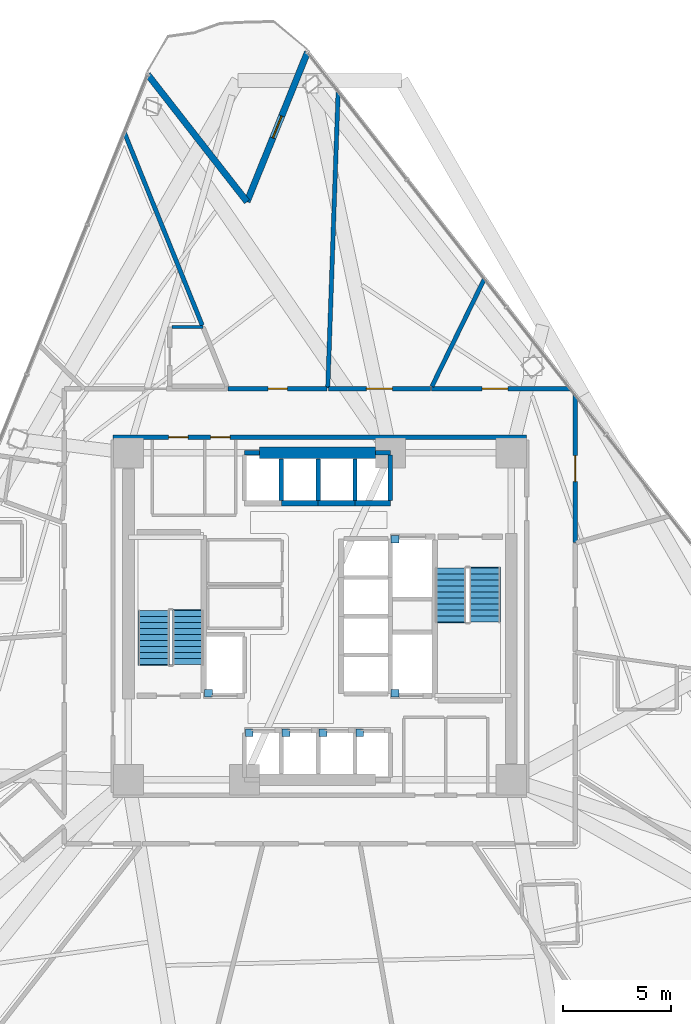
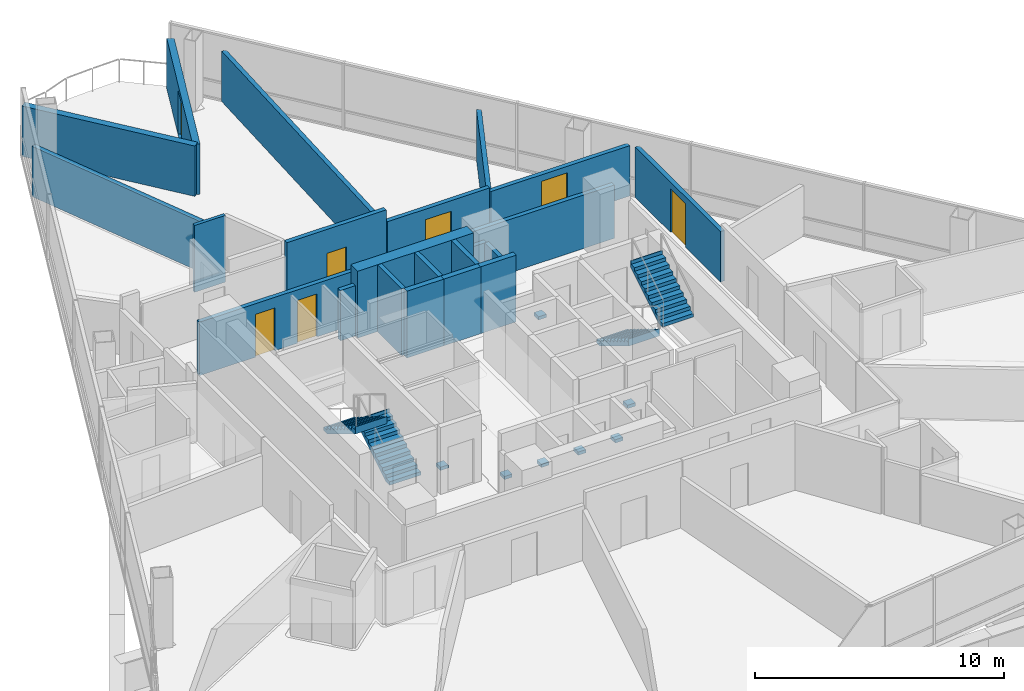
# One storey, part 10 of 15: 21 walls, 7 discrete accessories, 7 doors, 4 stair flights, 7 openings, 2 elements without a shape of their own.
"""IFC4 building model written with IfcOpenShell, lengths in metres."""

import ifcopenshell
import ifcopenshell.guid

model = None  # the IFC model being written
_history = None  # IfcOwnerHistory: only IFC2X3 demands one
_inside = {}  # id of a spatial element -> (the spatial element, [elements in it])
_under = {}  # id of a project, library or spatial element -> (it, [spatial elements below it])
_declared = {}  # id of a project -> (the project, [libraries it declares])
_typed = {}  # id of a type object -> (the type object, [elements of that type])
_made_of = {}  # id of a material, layer set ... -> (it, [elements and type objects made of it])


def new_model(schema):
    """Start an empty IFC model of exactly this schema.

    Asked for "IFC4X3", IfcOpenShell would pick the latest addendum, in which some entities
    have other attributes; the version numbers below select the first issue.
    IFC2X3 requires an IfcOwnerHistory on every rooted entity: one is made here for all.
    """
    global model, _history
    if schema == "IFC4X3":
        model = ifcopenshell.file(schema_version=(4, 3, 0, 0))
    else:
        model = ifcopenshell.file(schema=schema)
    _inside.clear()
    _under.clear()
    _declared.clear()
    _typed.clear()
    _made_of.clear()
    _history = None
    if model.schema == "IFC2X3":
        org = make("IfcOrganization", Name="unknown")
        user = make(
            "IfcPersonAndOrganization",
            ThePerson=make("IfcPerson", FamilyName="unknown"),
            TheOrganization=org,
        )
        app = make(
            "IfcApplication",
            ApplicationDeveloper=org,
            Version="unknown",
            ApplicationFullName="unknown",
            ApplicationIdentifier="unknown",
        )
        _history = make(
            "IfcOwnerHistory",
            OwningUser=user,
            OwningApplication=app,
            ChangeAction="ADDED",
            CreationDate=0,
        )
    return model


def make(cls, **values):
    """One entity of the class cls with the attributes given. An attribute that is None is left unset."""
    return model.create_entity(
        cls, **{name: value for name, value in values.items() if value is not None}
    )


def rooted(cls, **values):
    """An entity with a GlobalId (a new one), such as an element, a storey or a relation."""
    return make(cls, GlobalId=ifcopenshell.guid.new(), OwnerHistory=_history, **values)


def si_unit(unit_type, name, prefix=None):
    """IfcSIUnit, for example si_unit("LENGTHUNIT", "METRE", prefix="MILLI")."""
    return make("IfcSIUnit", UnitType=unit_type, Prefix=prefix, Name=name)


def assignment(units):
    """IfcUnitAssignment: the units of a project."""
    return None if units is None else make("IfcUnitAssignment", Units=units)


def point(xyz):
    """IfcCartesianPoint."""
    return None if xyz is None else make("IfcCartesianPoint", Coordinates=xyz)


def direction(xyz):
    """IfcDirection."""
    return None if xyz is None else make("IfcDirection", DirectionRatios=xyz)


def frame(location, z_axis=None, x_axis=None):
    """IfcAxis2Placement3D, a coordinate frame: its origin and axes. An axis left out is left unset."""
    return make(
        "IfcAxis2Placement3D",
        Location=point(location),
        Axis=direction(z_axis),
        RefDirection=direction(x_axis),
    )


def frame_2d(location, x_axis=None):
    """IfcAxis2Placement2D, a coordinate frame in the plane: its origin and x axis."""
    return make(
        "IfcAxis2Placement2D", Location=point(location), RefDirection=direction(x_axis)
    )


def origin():
    """The frame at (0, 0, 0) with its axes left unset."""
    return frame((0.0, 0.0, 0.0))


def origin_2d():
    """The frame at (0, 0) in the plane with its x axis left unset."""
    return frame_2d((0.0, 0.0))


def place(relative_to, where):
    """IfcLocalPlacement: puts the frame where relative to a parent placement (None: the world)."""
    return make(
        "IfcLocalPlacement", PlacementRelTo=relative_to, RelativePlacement=where
    )


def context(
    kind, dimensions, precision=None, world=None, true_north=None, identifier=None
):
    """IfcGeometricRepresentationContext, for example the 3D "Model" context."""
    return make(
        "IfcGeometricRepresentationContext",
        ContextIdentifier=identifier,
        ContextType=kind,
        CoordinateSpaceDimension=dimensions,
        Precision=precision,
        WorldCoordinateSystem=world,
        TrueNorth=true_north,
    )


def subcontext(parent, identifier, kind, view, scale=None):
    """IfcGeometricRepresentationSubContext, for example "Body" below "Model"."""
    return make(
        "IfcGeometricRepresentationSubContext",
        ContextIdentifier=identifier,
        ContextType=kind,
        ParentContext=parent,
        TargetScale=scale,
        TargetView=view,
    )


def project(units=None, contexts=None):
    """IfcProject with its units and contexts."""
    return rooted(
        "IfcProject",
        Name="project",
        RepresentationContexts=contexts,
        UnitsInContext=assignment(units),
    )


def spatial(cls, under=None, at=None, **own):
    """A site, building, storey or space (cls), placed at a placement, below another one or the project."""
    s = rooted(cls, ObjectPlacement=at, **own)
    if under is not None:
        _under.setdefault(under.id(), (under, []))[1].append(s)
    return s


def polyline(points):
    """IfcPolyline through the points."""
    return make("IfcPolyline", Points=[point(p) for p in points])


def profile(cls, at=None, kind="AREA", **sizes):
    """A parametric profile (cls). Its sizes go by their IFC names, for example OverallWidth=200.0."""
    return make(cls, ProfileType=kind, Position=at, **sizes)


def rectangle(**sizes):
    """IfcRectangleProfileDef."""
    return profile("IfcRectangleProfileDef", **sizes)


def outline(outer, holes=None, kind="AREA"):
    """IfcArbitraryClosedProfileDef: a profile drawn as a closed curve; with holes, ...WithVoids."""
    if holes is None:
        return make("IfcArbitraryClosedProfileDef", ProfileType=kind, OuterCurve=outer)
    return make(
        "IfcArbitraryProfileDefWithVoids",
        ProfileType=kind,
        OuterCurve=outer,
        InnerCurves=holes,
    )


def extrude(swept, where, along, depth):
    """IfcExtrudedAreaSolid: the profile swept, set in the frame where, extruded along a direction by depth."""
    return make(
        "IfcExtrudedAreaSolid",
        SweptArea=swept,
        Position=where,
        ExtrudedDirection=direction(along),
        Depth=depth,
    )


def shape(context_of_items, identifier, shape_type, items):
    """IfcShapeRepresentation: the items that make up one representation, for example the "Body"."""
    return make(
        "IfcShapeRepresentation",
        ContextOfItems=context_of_items,
        RepresentationIdentifier=identifier,
        RepresentationType=shape_type,
        Items=items,
    )


def material(Name=None, Category=None):
    """IfcMaterial."""
    return make("IfcMaterial", Name=Name, Category=Category)


def layer(
    of_material, thickness, ventilated=None, Name=None, Category=None, Priority=None
):
    """IfcMaterialLayer: one layer of a wall or slab, of a material (None: an air gap)."""
    return make(
        "IfcMaterialLayer",
        Material=of_material,
        LayerThickness=thickness,
        IsVentilated=ventilated,
        Name=Name,
        Category=Category,
        Priority=Priority,
    )


def layer_set(layers, Name=None):
    """IfcMaterialLayerSet."""
    return make("IfcMaterialLayerSet", MaterialLayers=layers, LayerSetName=Name)


def made_of(thing, what):
    """Note that an element or type object is made of a material, layer set ...; save() writes the relation."""
    if what is not None:
        _made_of.setdefault(what.id(), (what, []))[1].append(thing)
    return thing


def type_object(cls, material=None, **own):
    """A type object (cls), such as IfcWallType, which elements share."""
    return made_of(rooted(cls, **own), material)


def element(
    cls,
    number,
    at=None,
    inside=None,
    cuts=None,
    type_object=None,
    material=None,
    context=None,
    identifier="Body",
    shape_type=None,
    held_by="IfcProductDefinitionShape",
    body=None,
    shapes=None,
    **own,
):
    """One element of the class cls, such as IfcWall. Its Tag is "e" and its number.

    at: its placement. inside: the storey or other place that contains it. cuts: it is an
    opening in that element (IfcRelVoidsElement). A single representation is given by context,
    identifier, shape_type and body (its items); several are given by shapes. held_by: the class
    of the entity that holds the representations. save() writes the other relations.
    """
    e = rooted(cls, Tag="e%d" % number, ObjectPlacement=at, **own)
    if body is not None:
        shapes = [shape(context, identifier, shape_type, body)]
    if shapes is not None:
        e.Representation = make(held_by, Representations=shapes)
    if inside is not None:
        _inside.setdefault(inside.id(), (inside, []))[1].append(e)
    if cuts is not None:
        rooted(
            "IfcRelVoidsElement", RelatingBuildingElement=cuts, RelatedOpeningElement=e
        )
    if type_object is not None:
        _typed.setdefault(type_object.id(), (type_object, []))[1].append(e)
    return made_of(e, material)


def fill(opening, filler):
    """IfcRelFillsElement: the door or window that sits in an opening."""
    return rooted(
        "IfcRelFillsElement",
        RelatingOpeningElement=opening,
        RelatedBuildingElement=filler,
    )


def aggregate(whole, parts):
    """IfcRelAggregates: a whole, such as a stair, and the parts it consists of."""
    return rooted("IfcRelAggregates", RelatingObject=whole, RelatedObjects=parts)


def save(model, path):
    """Write the relations noted so far, then the file.

    IfcRelAggregates (storeys below a building ...), IfcRelContainedInSpatialStructure (elements
    in a storey), IfcRelDefinesByType, IfcRelAssociatesMaterial and IfcRelDeclares: one each for
    every whole, place, type object, material and project.
    """
    for whole, parts in _under.values():
        aggregate(whole, parts)
    for where, things in _inside.values():
        rooted(
            "IfcRelContainedInSpatialStructure",
            RelatedElements=things,
            RelatingStructure=where,
        )
    for kind, things in _typed.values():
        rooted("IfcRelDefinesByType", RelatedObjects=things, RelatingType=kind)
    for what, things in _made_of.values():
        rooted("IfcRelAssociatesMaterial", RelatedObjects=things, RelatingMaterial=what)
    for by, libraries in _declared.values():
        rooted("IfcRelDeclares", RelatingContext=by, RelatedDefinitions=libraries)
    model.write(path)


model = new_model("IFC4")

# Units and contexts
model_context = context("Model", 3, precision=1e-05, world=origin(), true_north=direction((0.0, 1.0)))
body_context = subcontext(model_context, "Body", "Model", "MODEL_VIEW")
ifc_project = project(units=[si_unit("LENGTHUNIT", "METRE"), si_unit("AREAUNIT", "SQUARE_METRE"), si_unit("VOLUMEUNIT", "CUBIC_METRE"), si_unit("PLANEANGLEUNIT", "RADIAN"), si_unit("MASSUNIT", "GRAM", prefix="KILO")], contexts=[model_context])

# Site, building, storey
site_placement = place(None, origin())
site = spatial("IfcSite", under=ifc_project, at=site_placement, CompositionType="ELEMENT")
building_placement = place(site_placement, origin())
building = spatial("IfcBuilding", under=site, at=building_placement, Name="Tharavind Bronze Gate", CompositionType="ELEMENT")
storey_placement = place(building_placement, frame((0.0, 0.0, 57.0)))
storey = spatial("IfcBuildingStorey", under=building, at=storey_placement, Name="L13", CompositionType="ELEMENT", Elevation=57.0)

# Wall, opening, door
ifc_material_1 = material(Name="Concrete C40/50", Category="concrete")
ifc_layer_1 = layer(ifc_material_1, 0.300048828125)
ifc_layer_set_1 = layer_set([ifc_layer_1], Name="Concrete C40/50")
wall_type_1 = type_object("IfcWallType", Name="EXTERIOR SPANDREL WALL 300", PredefinedType="STANDARD", material=ifc_layer_set_1)
wall_1_placement = place(storey_placement, frame((-0.57373046875, 26.226806640625, 0.0), z_axis=(0.0, 0.0, 1.0), x_axis=(-0.374609979755, -0.92718248639, 0.0)))
wall_1 = element("IfcWall", 1, at=wall_1_placement, inside=storey, type_object=wall_type_1, Name="L13 notch cheek wall 1A", PredefinedType="STANDARD", context=body_context, shape_type="SweptSolid", body=[
    extrude(rectangle(XDim=7.5, YDim=0.300048828125, at=frame_2d((3.75, 0.0))), origin(), (0.0, 0.0, 1.0), 2.469970703125),
])
opening_1_placement = place(wall_1_placement, frame((3.199951171875, 0.0, 0.0)))
opening_1 = element("IfcOpeningElement", 2, at=opening_1_placement, cuts=wall_1, Name="Opening ED04", PredefinedType="OPENING", context=body_context, shape_type="SweptSolid", body=[
    extrude(rectangle(XDim=1.10009765625, YDim=2.199951171875, at=frame_2d((0.550048828125, 1.10009765625))), frame((0.0, 0.15990234375, 0.0), z_axis=(0.0, -1.0, 0.0), x_axis=(1.0, 0.0, 0.0)), (0.0, 0.0, 1.0), 0.320048828125),
])
ifc_material_2 = material(Name="Bronze Aluminium & Toughened Glass", Category="aluminium")
door_type_1 = type_object("IfcDoorType", Name="TREE BALCONY ACCESS DOOR 1100X2200", OperationType="SINGLE_SWING_LEFT", PredefinedType="DOOR", material=ifc_material_2)
door_1_placement = place(opening_1_placement, frame((1.10009765625, 0.0, 0.0), z_axis=(0.0, 0.0, 1.0), x_axis=(-1.0, 0.0, 0.0)))
door_1 = element("IfcDoor", 3, at=door_1_placement, inside=storey, type_object=door_type_1, Name="L13 tree balcony access door", OperationType="SINGLE_SWING_LEFT", OverallHeight=2.199951171875, OverallWidth=1.10009765625, PredefinedType="DOOR", context=body_context, shape_type="SweptSolid", body=[
    extrude(rectangle(XDim=1.10009765625, YDim=2.199951171875, at=frame_2d((0.550048828125, 1.10009765625))), frame((0.0, 0.02490234375, 0.0), z_axis=(0.0, -1.0, 0.0), x_axis=(1.0, 0.0, 0.0)), (0.0, 0.0, 1.0), 0.050048828125),
])
fill(opening_1, door_1)

# Wall
wall_2_placement = place(storey_placement, frame((-3.38330078125, 19.27294921875, 0.0), z_axis=(0.0, 0.0, 1.0), x_axis=(-0.615654149001, 0.788016477504, 0.0)))
element("IfcWall", 4, at=wall_2_placement, inside=storey, type_object=wall_type_1, Name="L13 notch cheek wall 1B", PredefinedType="STANDARD", context=body_context, shape_type="SweptSolid", body=[
    extrude(rectangle(XDim=7.5, YDim=0.300048828125, at=frame_2d((3.75, 0.0))), origin(), (0.0, 0.0, 1.0), 2.469970703125),
])

# Wall, openings, doors
ifc_material_3 = material(Name="Aerated Concrete Block", Category="concrete")
ifc_layer_2 = layer(ifc_material_3, 0.199951171875)
ifc_layer_set_2 = layer_set([ifc_layer_2], Name="Aerated Concrete Block")
wall_type_2 = type_object("IfcWallType", Name="FIRE RATED PARTITION 200", PredefinedType="PARTITIONING", material=ifc_layer_set_2)
wall_3_placement = place(storey_placement, frame((9.6201171875, 8.320068359375, 0.0), z_axis=(0.0, 0.0, 1.0), x_axis=(-1.0, 0.0, 0.0)))
wall_3 = element("IfcWall", 5, at=wall_3_placement, inside=storey, type_object=wall_type_2, Name="L13 north core corridor wall", PredefinedType="PARTITIONING", context=body_context, shape_type="SweptSolid", body=[
    extrude(rectangle(XDim=19.240234375, YDim=0.199951171875, at=frame_2d((9.6201171875, 0.0))), origin(), (0.0, 0.0, 1.0), 2.6201171875),
])
opening_2_placement = place(wall_3_placement, frame((15.7451171875, 0.0, 0.0)))
opening_2 = element("IfcOpeningElement", 6, at=opening_2_placement, cuts=wall_3, Name="Opening ID07", PredefinedType="OPENING", context=body_context, shape_type="SweptSolid", body=[
    extrude(rectangle(XDim=0.89990234375, YDim=2.10009765625, at=frame_2d((0.449951171875, 1.050048828125))), frame((0.0, 0.11009765625, 0.0), z_axis=(0.0, -1.0, 0.0), x_axis=(1.0, 0.0, 0.0)), (0.0, 0.0, 1.0), 0.219951171875),
])
opening_3_placement = place(wall_3_placement, frame((13.794921875, 0.0, 0.0)))
opening_3 = element("IfcOpeningElement", 7, at=opening_3_placement, cuts=wall_3, Name="Opening ID07", PredefinedType="OPENING", context=body_context, shape_type="SweptSolid", body=[
    extrude(rectangle(XDim=0.89990234375, YDim=2.10009765625, at=frame_2d((0.449951171875, 1.050048828125))), frame((0.0, 0.11009765625, 0.0), z_axis=(0.0, -1.0, 0.0), x_axis=(1.0, 0.0, 0.0)), (0.0, 0.0, 1.0), 0.219951171875),
])
ifc_material_4 = material(Name="Galvanised Fire Steel", Category="steel")
door_type_2 = type_object("IfcDoorType", Name="PLANT AND RISER FIRE DOOR 900X2100", OperationType="SINGLE_SWING_LEFT", PredefinedType="DOOR", material=ifc_material_4)
door_2_placement = place(opening_2_placement, origin())
door_2 = element("IfcDoor", 8, at=door_2_placement, inside=storey, type_object=door_type_2, Name="L13 Electrical Metering Room fire door", OperationType="SINGLE_SWING_LEFT", OverallHeight=2.10009765625, OverallWidth=0.89990234375, PredefinedType="DOOR", context=body_context, shape_type="SweptSolid", body=[
    extrude(rectangle(XDim=0.89990234375, YDim=2.10009765625, at=frame_2d((0.449951171875, 1.050048828125))), frame((0.0, 0.02490234375, 0.0), z_axis=(0.0, -1.0, 0.0), x_axis=(1.0, 0.0, 0.0)), (0.0, 0.0, 1.0), 0.050048828125),
])
fill(opening_2, door_2)
door_3_placement = place(opening_3_placement, origin())
door_3 = element("IfcDoor", 9, at=door_3_placement, inside=storey, type_object=door_type_2, Name="L13 Linen Cupboard fire door", OperationType="SINGLE_SWING_LEFT", OverallHeight=2.10009765625, OverallWidth=0.89990234375, PredefinedType="DOOR", context=body_context, shape_type="SweptSolid", body=[
    extrude(rectangle(XDim=0.89990234375, YDim=2.10009765625, at=frame_2d((0.449951171875, 1.050048828125))), frame((0.0, 0.02490234375, 0.0), z_axis=(0.0, -1.0, 0.0), x_axis=(1.0, 0.0, 0.0)), (0.0, 0.0, 1.0), 0.050048828125),
])
fill(opening_3, door_3)

# Wall, opening, door
wall_4_placement = place(storey_placement, frame((11.8798828125, 3.439697265625, 0.0), z_axis=(0.0, 0.0, 1.0), x_axis=(0.0, 1.0, 0.0)))
wall_4 = element("IfcWall", 10, at=wall_4_placement, inside=storey, type_object=wall_type_2, Name="L13 Hotel Club Lounge partition", PredefinedType="PARTITIONING", context=body_context, shape_type="SweptSolid", body=[
    extrude(rectangle(XDim=6.84716796875, YDim=0.199951171875, at=frame_2d((3.423583984375, 0.0))), origin(), (0.0, 0.0, 1.0), 2.469970703125),
])
opening_4_placement = place(wall_4_placement, frame((2.823974609375, 0.0, 0.0)))
opening_4 = element("IfcOpeningElement", 11, at=opening_4_placement, cuts=wall_4, Name="Opening ID05", PredefinedType="OPENING", context=body_context, shape_type="SweptSolid", body=[
    extrude(rectangle(XDim=1.199951171875, YDim=2.14990234375, at=frame_2d((0.60009765625, 1.074951171875))), frame((0.0, 0.11009765625, 0.0), z_axis=(0.0, -1.0, 0.0), x_axis=(1.0, 0.0, 0.0)), (0.0, 0.0, 1.0), 0.219951171875),
])
ifc_material_5 = material(Name="Acoustic Laminated Glass", Category="glass")
door_type_3 = type_object("IfcDoorType", Name="MEETING ROOM GLAZED DOOR 1200X2150", OperationType="SINGLE_SWING_LEFT", PredefinedType="DOOR", material=ifc_material_5)
door_4_placement = place(opening_4_placement, origin())
door_4 = element("IfcDoor", 12, at=door_4_placement, inside=storey, type_object=door_type_3, Name="L13 Hotel Club Lounge door", OperationType="SINGLE_SWING_LEFT", OverallHeight=2.14990234375, OverallWidth=1.199951171875, PredefinedType="DOOR", context=body_context, shape_type="SweptSolid", body=[
    extrude(rectangle(XDim=1.199951171875, YDim=2.14990234375, at=frame_2d((0.60009765625, 1.074951171875))), frame((0.0, 0.02490234375, 0.0), z_axis=(0.0, -1.0, 0.0), x_axis=(1.0, 0.0, 0.0)), (0.0, 0.0, 1.0), 0.050048828125),
])
fill(opening_4, door_4)

wall_5_placement = place(storey_placement, frame((11.65087890625, 10.580078125, 0.0), z_axis=(0.0, 0.0, 1.0), x_axis=(-1.0, 0.0, 0.0)))
wall_5 = element("IfcWall", 13, at=wall_5_placement, inside=storey, type_object=wall_type_2, Name="L13 Hotel Guest Lounge partition", PredefinedType="PARTITIONING", context=body_context, shape_type="SweptSolid", body=[
    extrude(rectangle(XDim=6.45068359375, YDim=0.199951171875, at=frame_2d((3.225341796875, 0.0))), origin(), (0.0, 0.0, 1.0), 2.469970703125),
])
opening_5_placement = place(wall_5_placement, frame((2.905029296875, 0.0, 0.0)))
opening_5 = element("IfcOpeningElement", 14, at=opening_5_placement, cuts=wall_5, Name="Opening ID05", PredefinedType="OPENING", context=body_context, shape_type="SweptSolid", body=[
    extrude(rectangle(XDim=1.199951171875, YDim=2.14990234375, at=frame_2d((0.60009765625, 1.074951171875))), frame((0.0, 0.11009765625, 0.0), z_axis=(0.0, -1.0, 0.0), x_axis=(1.0, 0.0, 0.0)), (0.0, 0.0, 1.0), 0.219951171875),
])
door_5_placement = place(opening_5_placement, origin())
door_5 = element("IfcDoor", 15, at=door_5_placement, inside=storey, type_object=door_type_3, Name="L13 Hotel Guest Lounge door", OperationType="SINGLE_SWING_LEFT", OverallHeight=2.14990234375, OverallWidth=1.199951171875, PredefinedType="DOOR", context=body_context, shape_type="SweptSolid", body=[
    extrude(rectangle(XDim=1.199951171875, YDim=2.14990234375, at=frame_2d((0.60009765625, 1.074951171875))), frame((0.0, 0.02490234375, 0.0), z_axis=(0.0, -1.0, 0.0), x_axis=(1.0, 0.0, 0.0)), (0.0, 0.0, 1.0), 0.050048828125),
])
fill(opening_5, door_5)

# Wall
wall_6_placement = place(storey_placement, frame((5.21142578125, 10.68505859375, 0.0), z_axis=(0.0, 0.0, 1.0), x_axis=(0.438361496965, 0.898798752769, 0.0)))
element("IfcWall", 16, at=wall_6_placement, inside=storey, type_object=wall_type_2, Name="L13 Hotel Guest Lounge partition", PredefinedType="PARTITIONING", context=body_context, shape_type="SweptSolid", body=[
    extrude(rectangle(XDim=5.57373046875, YDim=0.199951171875, at=frame_2d((2.786865234375, 0.0))), origin(), (0.0, 0.0, 1.0), 2.469970703125),
])

# Wall, opening, door
wall_7_placement = place(storey_placement, frame((5.14453125, 10.580078125, 0.0), z_axis=(0.0, 0.0, 1.0), x_axis=(-1.0, 0.0, 0.0)))
wall_7 = element("IfcWall", 17, at=wall_7_placement, inside=storey, type_object=wall_type_2, Name="L13 Hotel Guest Lounge partition", PredefinedType="PARTITIONING", context=body_context, shape_type="SweptSolid", body=[
    extrude(rectangle(XDim=4.749267578125, YDim=0.199951171875, at=frame_2d((2.37451171875, 0.0))), origin(), (0.0, 0.0, 1.0), 2.669921875),
])
opening_6_placement = place(wall_7_placement, frame((1.77490234375, 0.0, 0.0)))
opening_6 = element("IfcOpeningElement", 18, at=opening_6_placement, cuts=wall_7, Name="Opening ID05", PredefinedType="OPENING", context=body_context, shape_type="SweptSolid", body=[
    extrude(rectangle(XDim=1.199951171875, YDim=2.14990234375, at=frame_2d((0.60009765625, 1.074951171875))), frame((0.0, 0.11009765625, 0.0), z_axis=(0.0, -1.0, 0.0), x_axis=(1.0, 0.0, 0.0)), (0.0, 0.0, 1.0), 0.219951171875),
])
door_6_placement = place(opening_6_placement, origin())
door_6 = element("IfcDoor", 19, at=door_6_placement, inside=storey, type_object=door_type_3, Name="L13 Hotel Guest Lounge door", OperationType="SINGLE_SWING_LEFT", OverallHeight=2.14990234375, OverallWidth=1.199951171875, PredefinedType="DOOR", context=body_context, shape_type="SweptSolid", body=[
    extrude(rectangle(XDim=1.199951171875, YDim=2.14990234375, at=frame_2d((0.60009765625, 1.074951171875))), frame((0.0, 0.02490234375, 0.0), z_axis=(0.0, -1.0, 0.0), x_axis=(1.0, 0.0, 0.0)), (0.0, 0.0, 1.0), 0.050048828125),
])
fill(opening_6, door_6)

# Wall
wall_8_placement = place(storey_placement, frame((0.370361328125, 10.60595703125, 0.0), z_axis=(0.0, 0.0, 1.0), x_axis=(0.03489353046, 0.999391035347, 0.0)))
element("IfcWall", 20, at=wall_8_placement, inside=storey, type_object=wall_type_2, Name="L13 Hotel Guest Lounge partition", PredefinedType="PARTITIONING", context=body_context, shape_type="SweptSolid", body=[
    extrude(rectangle(XDim=13.804443359375, YDim=0.199951171875, at=frame_2d((6.90234375, 0.0))), origin(), (0.0, 0.0, 1.0), 2.469970703125),
])

# Wall, opening, door
wall_9_placement = place(storey_placement, frame((0.34521484375, 10.580078125, 0.0), z_axis=(0.0, 0.0, 1.0), x_axis=(-1.0, 0.0, 0.0)))
wall_9 = element("IfcWall", 21, at=wall_9_placement, inside=storey, type_object=wall_type_2, Name="L13 Housekeeping & Linen Room partition", PredefinedType="PARTITIONING", context=body_context, shape_type="SweptSolid", body=[
    extrude(rectangle(XDim=4.60302734375, YDim=0.199951171875, at=frame_2d((2.301513671875, 0.0))), origin(), (0.0, 0.0, 1.0), 3.27490234375),
])
opening_7_placement = place(wall_9_placement, frame((1.85107421875, 0.0, 0.0)))
opening_7 = element("IfcOpeningElement", 22, at=opening_7_placement, cuts=wall_9, Name="Opening ID07", PredefinedType="OPENING", context=body_context, shape_type="SweptSolid", body=[
    extrude(rectangle(XDim=0.89990234375, YDim=2.10009765625, at=frame_2d((0.449951171875, 1.050048828125))), frame((0.0, 0.11009765625, 0.0), z_axis=(0.0, -1.0, 0.0), x_axis=(1.0, 0.0, 0.0)), (0.0, 0.0, 1.0), 0.219951171875),
])
door_7_placement = place(opening_7_placement, origin())
door_7 = element("IfcDoor", 23, at=door_7_placement, inside=storey, type_object=door_type_2, Name="L13 Housekeeping & Linen Room door", OperationType="SINGLE_SWING_LEFT", OverallHeight=2.10009765625, OverallWidth=0.89990234375, PredefinedType="DOOR", context=body_context, shape_type="SweptSolid", body=[
    extrude(rectangle(XDim=0.89990234375, YDim=2.10009765625, at=frame_2d((0.449951171875, 1.050048828125))), frame((0.0, 0.02490234375, 0.0), z_axis=(0.0, -1.0, 0.0), x_axis=(1.0, 0.0, 0.0)), (0.0, 0.0, 1.0), 0.050048828125),
])
fill(opening_7, door_7)

# Walls
wall_10_placement = place(storey_placement, frame((-5.466552734375, 13.530029296875, 0.0), z_axis=(0.0, 0.0, 1.0), x_axis=(-0.374609771438, 0.927182570556, 0.0)))
element("IfcWall", 24, at=wall_10_placement, inside=storey, type_object=wall_type_2, Name="L13 Housekeeping & Linen Room partition", PredefinedType="PARTITIONING", context=body_context, shape_type="SweptSolid", body=[
    extrude(rectangle(XDim=9.656494140625, YDim=0.199951171875, at=frame_2d((4.828125, 0.0))), origin(), (0.0, 0.0, 1.0), 2.469970703125),
])
ifc_material_6 = material(Name="Twin Stud Acoustic Gypsum", Category="gypsum")
ifc_layer_3 = layer(ifc_material_6, 0.14990234375)
ifc_layer_set_3 = layer_set([ifc_layer_3], Name="Twin Stud Acoustic Gypsum")
wall_type_3 = type_object("IfcWallType", Name="INTERIOR PARTITION WALL 150", PredefinedType="PARTITIONING", material=ifc_layer_set_3)
wall_11_placement = place(storey_placement, frame((-6.8681640625, 13.449951171875, 0.0), z_axis=(0.0, 0.0, 1.0), x_axis=(1.0, 0.0, 0.0)))
element("IfcWall", 25, at=wall_11_placement, inside=storey, type_object=wall_type_3, Name="L13 En-Suite Bathroom partition", PredefinedType="PARTITIONING", context=body_context, shape_type="SweptSolid", body=[
    extrude(rectangle(XDim=1.43408203125, YDim=0.14990234375, at=frame_2d((0.717041015625, 0.0))), origin(), (0.0, 0.0, 1.0), 3.27490234375),
])
ifc_material_7 = material(Name="Concrete C50/60", Category="concrete")
ifc_layer_4 = layer(ifc_material_7, 0.25)
ifc_layer_set_4 = layer_set([ifc_layer_4], Name="Concrete C50/60")
wall_type_4 = type_object("IfcWallType", Name="RC CORE SHEAR WALL 250", PredefinedType="SHEAR", material=ifc_layer_set_4)
wall_12_placement = place(storey_placement, frame((-1.78759765625, 5.25, 0.0), z_axis=(0.0, 0.0, 1.0), x_axis=(1.0, 0.0, 0.0)))
element("IfcWall", 26, at=wall_12_placement, inside=storey, type_object=wall_type_4, Name="L13 lift PL6 shaft front wall", PredefinedType="SHEAR", context=body_context, shape_type="SweptSolid", body=[
    extrude(rectangle(XDim=1.712646484375, YDim=0.25, at=frame_2d((0.8564453125, 0.0))), origin(), (0.0, 0.0, 1.0), 3.27490234375),
])
wall_13_placement = place(storey_placement, frame((-0.074951171875, 5.25, 0.0), z_axis=(0.0, 0.0, 1.0), x_axis=(1.0, 0.0, 0.0)))
element("IfcWall", 27, at=wall_13_placement, inside=storey, type_object=wall_type_4, Name="L13 lift PL7 shaft front wall", PredefinedType="SHEAR", context=body_context, shape_type="SweptSolid", body=[
    extrude(rectangle(XDim=1.71240234375, YDim=0.25, at=frame_2d((0.856201171875, 0.0))), origin(), (0.0, 0.0, 1.0), 3.27490234375),
])
wall_14_placement = place(storey_placement, frame((1.637451171875, 5.25, 0.0), z_axis=(0.0, 0.0, 1.0), x_axis=(1.0, 0.0, 0.0)))
element("IfcWall", 28, at=wall_14_placement, inside=storey, type_object=wall_type_4, Name="L13 lift PL8 shaft front wall", PredefinedType="SHEAR", context=body_context, shape_type="SweptSolid", body=[
    extrude(rectangle(XDim=1.642578125, YDim=0.25, at=frame_2d((0.8212890625, 0.0))), origin(), (0.0, 0.0, 1.0), 3.27490234375),
])
ifc_material_8 = material(Name="Concrete C60/75", Category="concrete")
ifc_layer_5 = layer(ifc_material_8, 0.550048828125)
ifc_layer_set_5 = layer_set([ifc_layer_5], Name="Concrete C60/75")
wall_type_5 = type_object("IfcWallType", Name="RC CORE SHEAR WALL 550", PredefinedType="SHEAR", material=ifc_layer_set_5)
wall_15_placement = place(storey_placement, frame((-2.800048828125, 7.60009765625, 0.0), z_axis=(0.0, 0.0, 1.0), x_axis=(1.0, 0.0, 0.0)))
element("IfcWall", 29, at=wall_15_placement, inside=storey, type_object=wall_type_5, Name="L13 north core shear wall", PredefinedType="SHEAR", context=body_context, shape_type="SweptSolid", body=[
    extrude(rectangle(XDim=5.380126953125, YDim=0.550048828125, at=frame_2d((2.68994140625, 0.0))), origin(), (0.0, 0.0, 1.0), 3.27490234375),
])
ifc_layer_6 = layer(ifc_material_1, 0.199951171875)
ifc_layer_set_6 = layer_set([ifc_layer_6], Name="Concrete C40/50")
wall_type_6 = type_object("IfcWallType", Name="SHAFT ENCLOSURE WALL 200", PredefinedType="PARTITIONING", material=ifc_layer_set_6)
wall_16_placement = place(storey_placement, frame((-3.5, 7.60009765625, 0.0), z_axis=(0.0, 0.0, 1.0), x_axis=(1.0, 0.0, 0.0)))
element("IfcWall", 30, at=wall_16_placement, inside=storey, type_object=wall_type_6, Name="L13 lift PL5 shaft N enclosure wall", PredefinedType="PARTITIONING", context=body_context, shape_type="SweptSolid", body=[
    extrude(rectangle(XDim=0.699951171875, YDim=0.199951171875, at=frame_2d((0.35009765625, 0.0))), origin(), (0.0, 0.0, 1.0), 2.469970703125),
])
for number, where, z_axis, x_axis, name in (
    (31, (-1.78759765625, 5.3798828125, 0.0), (0.0, 0.0, 1.0), (0.0, 1.0, 0.0), "L13 lift PL5 shaft E enclosure wall"),
    (32, (-0.074951171875, 5.3798828125, 0.0), (0.0, 0.0, 1.0), (0.0, 1.0, 0.0), "L13 lift PL6 shaft E enclosure wall"),
    (33, (1.637451171875, 5.3798828125, 0.0), (0.0, 0.0, 1.0), (0.0, 1.0, 0.0), "L13 lift PL7 shaft E enclosure wall"),
):
    element("IfcWall", number, at=place(storey_placement, frame(where, z_axis=z_axis, x_axis=x_axis)), inside=storey, type_object=wall_type_6, Name=name, PredefinedType="PARTITIONING", context=body_context, shape_type="SweptSolid", body=[
        extrude(rectangle(XDim=1.940185546875, YDim=0.199951171875, at=frame_2d((0.97021484375, 0.0))), origin(), (0.0, 0.0, 1.0), 3.27490234375),
    ])
wall_17_placement = place(storey_placement, frame((2.580078125, 7.60009765625, 0.0), z_axis=(0.0, 0.0, 1.0), x_axis=(1.0, 0.0, 0.0)))
element("IfcWall", 34, at=wall_17_placement, inside=storey, type_object=wall_type_6, Name="L13 lift PL8 shaft N enclosure wall", PredefinedType="PARTITIONING", context=body_context, shape_type="SweptSolid", body=[
    extrude(rectangle(XDim=0.699951171875, YDim=0.199951171875, at=frame_2d((0.35009765625, 0.0))), origin(), (0.0, 0.0, 1.0), 2.469970703125),
])
wall_18_placement = place(storey_placement, frame((3.280029296875, 5.3798828125, 0.0), z_axis=(0.0, 0.0, 1.0), x_axis=(0.0, 1.0, 0.0)))
element("IfcWall", 35, at=wall_18_placement, inside=storey, type_object=wall_type_6, Name="L13 lift PL8 shaft E enclosure wall", PredefinedType="PARTITIONING", context=body_context, shape_type="SweptSolid", body=[
    extrude(rectangle(XDim=2.115234375, YDim=0.199951171875, at=frame_2d((1.0576171875, 0.0))), origin(), (0.0, 0.0, 1.0), 2.469970703125),
])

# Stair, stair flights
stair_type = type_object("IfcStairType", Name="CORE HALF TURN STAIR 1450", PredefinedType="HALF_TURN_STAIR", material=ifc_material_1)
stair_1_placement = place(storey_placement, origin())
stair_1 = element("IfcStair", 36, at=stair_1_placement, inside=storey, type_object=stair_type, Name="L13 Protected Exit Stair ST1", PredefinedType="HALF_TURN_STAIR")
stair_flight_type = type_object("IfcStairFlightType", Name="CORE STAIR FLIGHT 1450", PredefinedType="STRAIGHT", material=ifc_material_1)
stair_flight_1_placement = place(storey_placement, frame((-6.125, -2.25, 0.0), z_axis=(0.0, 0.0, 1.0), x_axis=(0.0, 1.0, 0.0)))
stair_flight_1 = element("IfcStairFlight", 37, at=stair_flight_1_placement, type_object=stair_flight_type, Name="ST1 flight 1", NumberOfRisers=10, NumberOfTreads=9, PredefinedType="STRAIGHT", RiserHeight=0.1725, TreadLength=0.28, context=body_context, shape_type="SweptSolid", body=[
    extrude(outline(polyline([(0.0, 0.0), (0.0, 0.172607421875), (0.280029296875, 0.172607421875), (0.280029296875, 0.344970703125), (0.56005859375, 0.344970703125), (0.56005859375, 0.517578125), (0.840087890625, 0.517578125), (0.840087890625, 0.68994140625), (1.1201171875, 0.68994140625), (1.1201171875, 0.862548828125), (1.39990234375, 0.862548828125), (1.39990234375, 1.034912109375), (1.679931640625, 1.034912109375), (1.679931640625, 1.20751953125), (1.9599609375, 1.20751953125), (1.9599609375, 1.3798828125), (2.239990234375, 1.3798828125), (2.239990234375, 1.552490234375), (2.52001953125, 1.552490234375), (2.52001953125, 1.72509765625), (2.555908203125, 1.72509765625), (2.555908203125, 1.37646484375), (0.285888671875, 0.0), (0.0, 0.0)])), frame((0.0, 0.72509765625, 0.0), z_axis=(0.0, -1.0, 0.0), x_axis=(1.0, 0.0, 0.0)), (0.0, 0.0, 1.0), 1.449951171875),
])
stair_flight_2_placement = place(storey_placement, frame((-7.72509765625, 0.27001953125, 1.72509765625), z_axis=(0.0, 0.0, 1.0), x_axis=(0.0, -1.0, 0.0)))
stair_flight_2 = element("IfcStairFlight", 38, at=stair_flight_2_placement, type_object=stair_flight_type, Name="ST1 flight 2", NumberOfRisers=10, NumberOfTreads=9, PredefinedType="STRAIGHT", RiserHeight=0.1725, TreadLength=0.28, context=body_context, shape_type="SweptSolid", body=[
    extrude(outline(polyline([(0.0, 0.0), (0.0, 0.172607421875), (0.280029296875, 0.172607421875), (0.280029296875, 0.344970703125), (0.56005859375, 0.344970703125), (0.56005859375, 0.517578125), (0.840087890625, 0.517578125), (0.840087890625, 0.68994140625), (1.1201171875, 0.68994140625), (1.1201171875, 0.862548828125), (1.39990234375, 0.862548828125), (1.39990234375, 1.034912109375), (1.679931640625, 1.034912109375), (1.679931640625, 1.20751953125), (1.9599609375, 1.20751953125), (1.9599609375, 1.3798828125), (2.239990234375, 1.3798828125), (2.239990234375, 1.552490234375), (2.52001953125, 1.552490234375), (2.52001953125, 1.72509765625), (2.555908203125, 1.72509765625), (2.555908203125, 1.37646484375), (0.285888671875, 0.0), (0.0, 0.0)])), frame((0.0, 0.72509765625, 0.0), z_axis=(0.0, -1.0, 0.0), x_axis=(1.0, 0.0, 0.0)), (0.0, 0.0, 1.0), 1.449951171875),
])
aggregate(stair_1, [stair_flight_1, stair_flight_2])

stair_2_placement = place(storey_placement, origin())
stair_2 = element("IfcStair", 39, at=stair_2_placement, inside=storey, type_object=stair_type, Name="L13 Protected Exit Stair ST2", PredefinedType="HALF_TURN_STAIR")
stair_flight_3_placement = place(storey_placement, frame((6.074951171875, 2.25, 0.0), z_axis=(0.0, 0.0, 1.0), x_axis=(0.0, -1.0, 0.0)))
stair_flight_3 = element("IfcStairFlight", 40, at=stair_flight_3_placement, type_object=stair_flight_type, Name="ST2 flight 1", NumberOfRisers=10, NumberOfTreads=9, PredefinedType="STRAIGHT", RiserHeight=0.1725, TreadLength=0.28, context=body_context, shape_type="SweptSolid", body=[
    extrude(outline(polyline([(0.0, 0.0), (0.0, 0.172607421875), (0.280029296875, 0.172607421875), (0.280029296875, 0.344970703125), (0.56005859375, 0.344970703125), (0.56005859375, 0.517578125), (0.840087890625, 0.517578125), (0.840087890625, 0.68994140625), (1.1201171875, 0.68994140625), (1.1201171875, 0.862548828125), (1.39990234375, 0.862548828125), (1.39990234375, 1.034912109375), (1.679931640625, 1.034912109375), (1.679931640625, 1.20751953125), (1.9599609375, 1.20751953125), (1.9599609375, 1.3798828125), (2.239990234375, 1.3798828125), (2.239990234375, 1.552490234375), (2.52001953125, 1.552490234375), (2.52001953125, 1.72509765625), (2.555908203125, 1.72509765625), (2.555908203125, 1.37646484375), (0.285888671875, 0.0), (0.0, 0.0)])), frame((0.0, 0.72509765625, 0.0), z_axis=(0.0, -1.0, 0.0), x_axis=(1.0, 0.0, 0.0)), (0.0, 0.0, 1.0), 1.449951171875),
])
stair_flight_4_placement = place(storey_placement, frame((7.675048828125, -0.27001953125, 1.72509765625), z_axis=(0.0, 0.0, 1.0), x_axis=(0.0, 1.0, 0.0)))
stair_flight_4 = element("IfcStairFlight", 41, at=stair_flight_4_placement, type_object=stair_flight_type, Name="ST2 flight 2", NumberOfRisers=10, NumberOfTreads=9, PredefinedType="STRAIGHT", RiserHeight=0.1725, TreadLength=0.28, context=body_context, shape_type="SweptSolid", body=[
    extrude(outline(polyline([(0.0, 0.0), (0.0, 0.172607421875), (0.280029296875, 0.172607421875), (0.280029296875, 0.344970703125), (0.56005859375, 0.344970703125), (0.56005859375, 0.517578125), (0.840087890625, 0.517578125), (0.840087890625, 0.68994140625), (1.1201171875, 0.68994140625), (1.1201171875, 0.862548828125), (1.39990234375, 0.862548828125), (1.39990234375, 1.034912109375), (1.679931640625, 1.034912109375), (1.679931640625, 1.20751953125), (1.9599609375, 1.20751953125), (1.9599609375, 1.3798828125), (2.239990234375, 1.3798828125), (2.239990234375, 1.552490234375), (2.52001953125, 1.552490234375), (2.52001953125, 1.72509765625), (2.555908203125, 1.72509765625), (2.555908203125, 1.37646484375), (0.285888671875, 0.0), (0.0, 0.0)])), frame((0.0, 0.72509765625, 0.0), z_axis=(0.0, -1.0, 0.0), x_axis=(1.0, 0.0, 0.0)), (0.0, 0.0, 1.0), 1.449951171875),
])
aggregate(stair_2, [stair_flight_3, stair_flight_4])

# Discrete accessories
ifc_material_9 = material(Name="Galvanised Steel S355", Category="steel")
discrete_accessory_type = type_object("IfcDiscreteAccessoryType", Name="LIFT GUIDE RAIL BRACKET", PredefinedType="BRACKET", material=ifc_material_9)
for number, where, z_axis, x_axis, name in (
    (42, (-3.280029296875, -5.419921875, 1.1201171875), (0.0, 0.0, 1.0), (1.0, 0.0, 0.0), "Lift PL1 guide rail bracket at L13"),
    (43, (-1.5673828125, -5.419921875, 1.1201171875), (0.0, 0.0, 1.0), (1.0, 0.0, 0.0), "Lift PL2 guide rail bracket at L13"),
    (44, (0.14501953125, -5.419921875, 1.1201171875), (0.0, 0.0, 1.0), (1.0, 0.0, 0.0), "Lift PL3 guide rail bracket at L13"),
    (45, (1.857421875, -5.419921875, 1.1201171875), (0.0, 0.0, 1.0), (1.0, 0.0, 0.0), "Lift PL4 guide rail bracket at L13"),
    (46, (-5.179931640625, -3.580078125, 1.1201171875), (0.0, 0.0, 1.0), (1.0, 0.0, 0.0), "Lift FFL1 guide rail bracket at L13"),
    (47, (3.5, 3.580078125, 1.1201171875), (0.0, 0.0, 1.0), (1.0, 0.0, 0.0), "Lift FFL2 guide rail bracket at L13"),
    (48, (3.5, -3.580078125, 1.1201171875), (0.0, 0.0, 1.0), (1.0, 0.0, 0.0), "Lift SVL1 guide rail bracket at L13"),
):
    element("IfcDiscreteAccessory", number, at=place(storey_placement, frame(where, z_axis=z_axis, x_axis=x_axis)), inside=storey, type_object=discrete_accessory_type, Name=name, PredefinedType="BRACKET", context=body_context, shape_type="SweptSolid", body=[
        extrude(rectangle(XDim=0.360107421875, YDim=0.360107421875, at=origin_2d()), origin(), (0.0, 0.0, 1.0), 0.159912109375),
    ])

save(model, "model.ifc")
